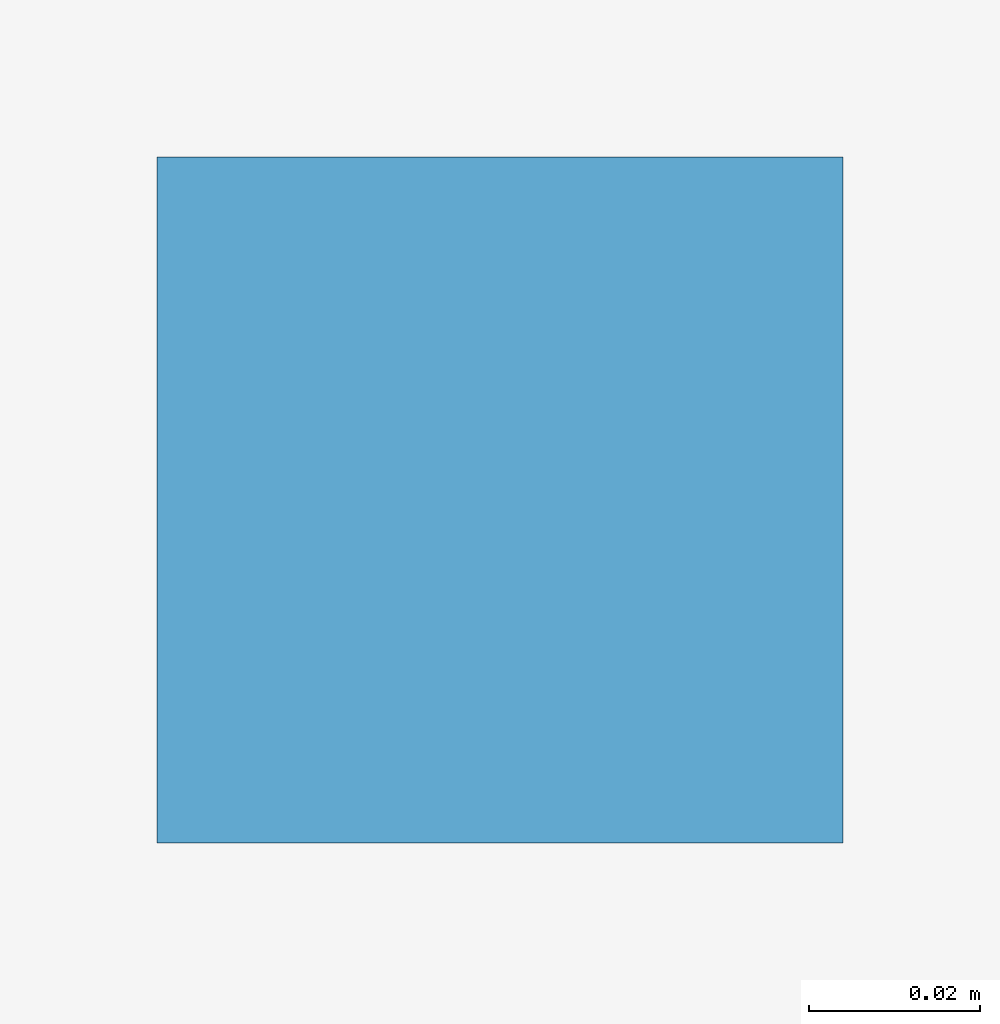
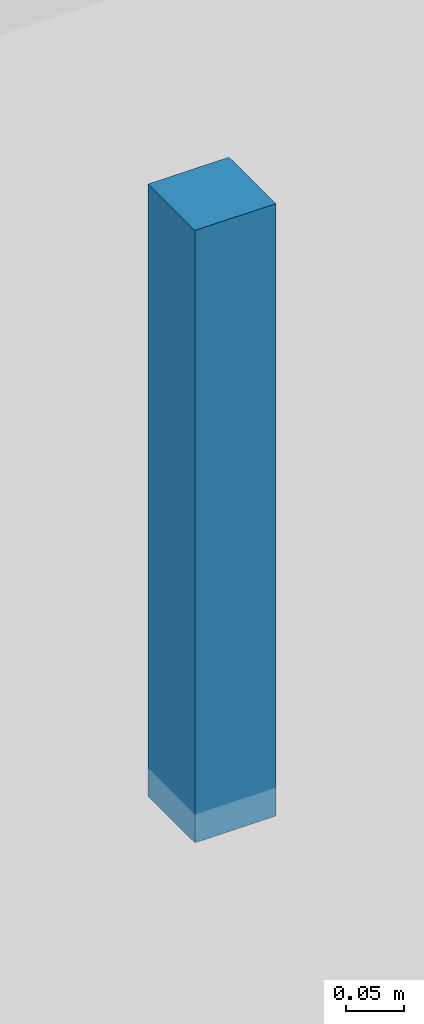
# One storey, part 12 of 17: 1 discrete accessory.
"""IFC4 building model written with IfcOpenShell, lengths in metres."""

from ifc_helpers import new_model, si_unit, direction, frame, origin, origin_2d, place, context, subcontext, project, spatial, rectangle, extrude, source, transform, mapped, material, type_object, element, save


model = new_model("IFC4")

# Units and contexts
model_context = context("Model", 3, precision=1e-05, world=origin(), true_north=direction((0.0, 1.0)))
body_context = subcontext(model_context, "Body", "Model", "MODEL_VIEW")
ifc_project = project(units=[si_unit("LENGTHUNIT", "METRE"), si_unit("AREAUNIT", "SQUARE_METRE"), si_unit("VOLUMEUNIT", "CUBIC_METRE"), si_unit("PLANEANGLEUNIT", "RADIAN"), si_unit("MASSUNIT", "GRAM", prefix="KILO")], contexts=[model_context])

# Site, building, storey
site_placement = place(None, origin())
site = spatial("IfcSite", under=ifc_project, at=site_placement, CompositionType="ELEMENT")
building_placement = place(site_placement, origin())
building = spatial("IfcBuilding", under=site, at=building_placement, Name="Giltprow Tower", CompositionType="ELEMENT")
storey_placement = place(building_placement, frame((0.0, 0.0, 216.699951171875)))
storey = spatial("IfcBuildingStorey", under=building, at=storey_placement, Name="L55", CompositionType="ELEMENT", Elevation=216.699951171875)

# Discrete accessory
ifc_material = material(Name="Structural steel Q355B", Category="steel")
discrete_accessory_type = type_object("IfcDiscreteAccessoryType", Name="ACC-CLG-HANGER", PredefinedType="BRACKET", material=ifc_material)
shared_shape = source(origin(), body_context, "Body", "SweptSolid", [
    extrude(rectangle(XDim=0.080078125, YDim=0.080078125, at=origin_2d()), origin(), (0.0, 0.0, 1.0), 0.639892578125),
])
discrete_accessory_placement = place(storey_placement, frame((35.0, 35.89990234375, 2.6201171875), z_axis=(0.0, 0.0, 1.0), x_axis=(1.0, 0.0, 0.0)))
element("IfcDiscreteAccessory", 1, at=discrete_accessory_placement, inside=storey, type_object=discrete_accessory_type, Name="L55 Hotel Corridor Gypsum Ceiling Suspension Hanger", PredefinedType="BRACKET", context=body_context, shape_type="MappedRepresentation", body=[
    mapped(shared_shape, transform((0.0, 0.0, 0.0), x_axis=(1.0, 0.0, 0.0), y_axis=(0.0, 1.0, 0.0), z_axis=(0.0, 0.0, 1.0), scale=1.0)),
])

save(model, "model.ifc")
